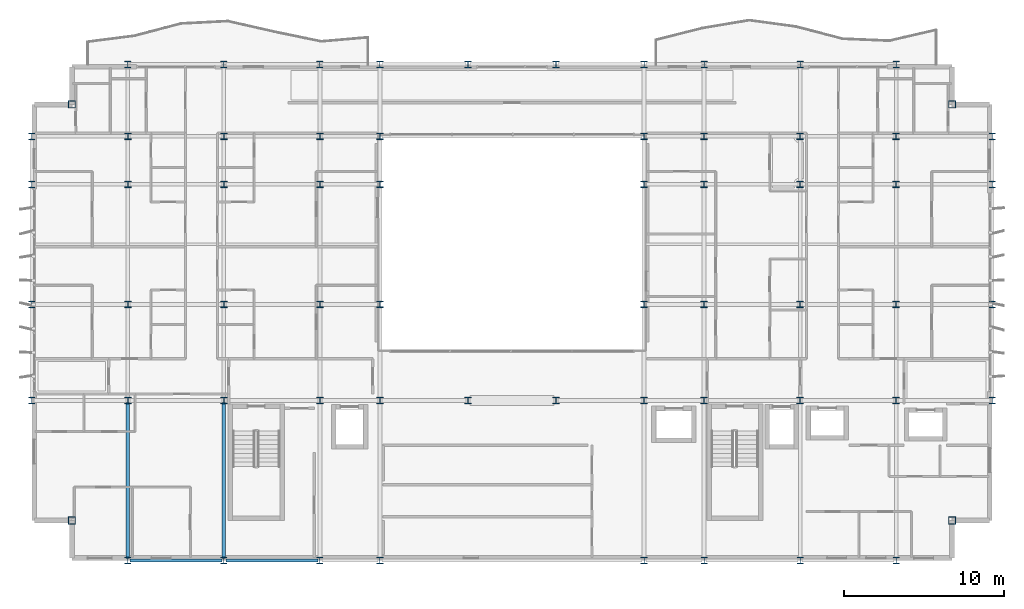
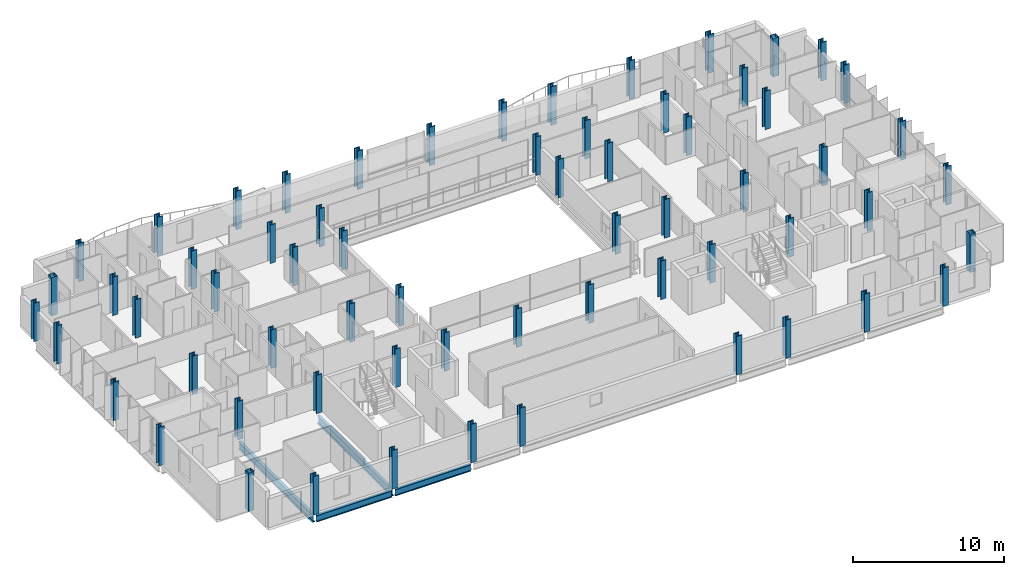
# One storey, part 1 of 39: 64 columns, 4 beams.
"""IFC4 building model written with IfcOpenShell, lengths in metres."""

from ifc_helpers import new_model, si_unit, direction, frame, origin, origin_2d, place, context, subcontext, project, spatial, hollow_rectangle, i_section, extrude, material, material_profile, profile_set, type_object, element, save


model = new_model("IFC4")

# Units and contexts
model_context = context("Model", 3, precision=1e-05, world=origin(), true_north=direction((0.0, 1.0)))
body_context = subcontext(model_context, "Body", "Model", "MODEL_VIEW")
ifc_project = project(units=[si_unit("LENGTHUNIT", "METRE"), si_unit("AREAUNIT", "SQUARE_METRE"), si_unit("VOLUMEUNIT", "CUBIC_METRE"), si_unit("PLANEANGLEUNIT", "RADIAN"), si_unit("MASSUNIT", "GRAM", prefix="KILO")], contexts=[model_context])

# Site, building, storey
site_placement = place(None, origin())
site = spatial("IfcSite", under=ifc_project, at=site_placement, CompositionType="ELEMENT")
building_placement = place(site_placement, origin())
building = spatial("IfcBuilding", under=site, at=building_placement, Name="Brevholm Reach", CompositionType="ELEMENT")
storey_placement = place(building_placement, frame((0.0, 0.0, 115.89990234375)))
storey = spatial("IfcBuildingStorey", under=building, at=storey_placement, Name="L34", CompositionType="ELEMENT", Elevation=115.89990234375)

# Columns
ifc_material_1 = material(Name="Structural Steel S460NH", Category="steel")
ifc_material_profile_1 = material_profile(ifc_material_1, hollow_rectangle(XDim=0.449951171875, YDim=0.449951171875, WallThickness=0.02490234375, InnerFilletRadius=0.011962890625, OuterFilletRadius=0.02392578125, at=origin_2d()), Name="SHS 450x450x25")
ifc_profile_set_1 = profile_set([ifc_material_profile_1], Name="Structural Steel S460NH")
column_type_1 = type_object("IfcColumnType", Name="COL-SHS1", PredefinedType="COLUMN", material=ifc_profile_set_1)
for number, where, z_axis, x_axis, name in (
    (1, (2.5, 2.5, 0.0), (0.0, 0.0, 1.0), (1.0, 0.0, 0.0), "L34 Column 05"),
    (2, (2.5, 28.5, 0.0), (0.0, 0.0, 1.0), (1.0, 0.0, 0.0), "L34 Column 06"),
    (3, (57.5, 2.5, 0.0), (0.0, 0.0, 1.0), (1.0, 0.0, 0.0), "L34 Column 59"),
    (4, (57.5, 28.5, 0.0), (0.0, 0.0, 1.0), (1.0, 0.0, 0.0), "L34 Column 60"),
):
    element("IfcColumn", number, at=place(storey_placement, frame(where, z_axis=z_axis, x_axis=x_axis)), inside=storey, type_object=column_type_1, Name=name, PredefinedType="COLUMN", context=body_context, shape_type="SweptSolid", body=[
        extrude(hollow_rectangle(XDim=0.449951171875, YDim=0.449951171875, WallThickness=0.02490234375, InnerFilletRadius=0.011962890625, OuterFilletRadius=0.02392578125, at=origin_2d()), origin(), (0.0, 0.0, 1.0), 3.10009765625),
    ])
ifc_material_2 = material(Name="Structural Steel S460ML", Category="steel")
ifc_material_profile_2 = material_profile(ifc_material_2, i_section(OverallWidth=0.412109375, OverallDepth=0.4365234375, WebThickness=0.035888671875, FlangeThickness=0.05810546875, FilletRadius=0.01513671875, at=origin_2d()), Name="UKC 356x406x467")
ifc_profile_set_2 = profile_set([ifc_material_profile_2], Name="Structural Steel S460ML")
column_type_2 = type_object("IfcColumnType", Name="COL-UC3", PredefinedType="COLUMN", material=ifc_profile_set_2)
for number, where, z_axis, x_axis, name in (
    (5, (0.0, 10.0, 0.0), (0.0, 0.0, 1.0), (1.0, 0.0, 0.0), "L34 Column 01"),
    (6, (0.0, 16.0, 0.0), (0.0, 0.0, 1.0), (1.0, 0.0, 0.0), "L34 Column 02"),
    (7, (0.0, 23.5, 0.0), (0.0, 0.0, 1.0), (1.0, 0.0, 0.0), "L34 Column 03"),
    (8, (0.0, 26.5, 0.0), (0.0, 0.0, 1.0), (1.0, 0.0, 0.0), "L34 Column 04"),
    (9, (6.0, 0.0, 0.0), (0.0, 0.0, 1.0), (1.0, 0.0, 0.0), "L34 Column 07"),
    (10, (6.0, 31.0, 0.0), (0.0, 0.0, 1.0), (1.0, 0.0, 0.0), "L34 Column 12"),
    (11, (12.0, 0.0, 0.0), (0.0, 0.0, 1.0), (1.0, 0.0, 0.0), "L34 Column 13"),
    (12, (12.0, 31.0, 0.0), (0.0, 0.0, 1.0), (1.0, 0.0, 0.0), "L34 Column 18"),
    (13, (18.0, 0.0, 0.0), (0.0, 0.0, 1.0), (1.0, 0.0, 0.0), "L34 Column 19"),
    (14, (18.0, 31.0, 0.0), (0.0, 0.0, 1.0), (1.0, 0.0, 0.0), "L34 Column 24"),
    (15, (21.75, 0.0, 0.0), (0.0, 0.0, 1.0), (1.0, 0.0, 0.0), "L34 Column 25"),
    (16, (21.75, 31.0, 0.0), (0.0, 0.0, 1.0), (1.0, 0.0, 0.0), "L34 Column 30"),
    (17, (27.25, 31.0, 0.0), (0.0, 0.0, 1.0), (1.0, 0.0, 0.0), "L34 Column 32"),
    (18, (32.75, 31.0, 0.0), (0.0, 0.0, 1.0), (1.0, 0.0, 0.0), "L34 Column 34"),
    (19, (38.25, 0.0, 0.0), (0.0, 0.0, 1.0), (1.0, 0.0, 0.0), "L34 Column 35"),
    (20, (38.25, 31.0, 0.0), (0.0, 0.0, 1.0), (1.0, 0.0, 0.0), "L34 Column 40"),
    (21, (42.0, 0.0, 0.0), (0.0, 0.0, 1.0), (1.0, 0.0, 0.0), "L34 Column 41"),
    (22, (42.0, 31.0, 0.0), (0.0, 0.0, 1.0), (1.0, 0.0, 0.0), "L34 Column 46"),
    (23, (48.0, 0.0, 0.0), (0.0, 0.0, 1.0), (1.0, 0.0, 0.0), "L34 Column 47"),
    (24, (48.0, 31.0, 0.0), (0.0, 0.0, 1.0), (1.0, 0.0, 0.0), "L34 Column 52"),
    (25, (54.0, 0.0, 0.0), (0.0, 0.0, 1.0), (1.0, 0.0, 0.0), "L34 Column 53"),
    (26, (54.0, 31.0, 0.0), (0.0, 0.0, 1.0), (1.0, 0.0, 0.0), "L34 Column 58"),
    (27, (60.0, 10.0, 0.0), (0.0, 0.0, 1.0), (1.0, 0.0, 0.0), "L34 Column 61"),
    (28, (60.0, 16.0, 0.0), (0.0, 0.0, 1.0), (1.0, 0.0, 0.0), "L34 Column 62"),
    (29, (60.0, 23.5, 0.0), (0.0, 0.0, 1.0), (1.0, 0.0, 0.0), "L34 Column 63"),
    (30, (60.0, 26.5, 0.0), (0.0, 0.0, 1.0), (1.0, 0.0, 0.0), "L34 Column 64"),
):
    element("IfcColumn", number, at=place(storey_placement, frame(where, z_axis=z_axis, x_axis=x_axis)), inside=storey, type_object=column_type_2, Name=name, PredefinedType="COLUMN", context=body_context, shape_type="SweptSolid", body=[
        extrude(i_section(OverallWidth=0.412109375, OverallDepth=0.4365234375, WebThickness=0.035888671875, FlangeThickness=0.05810546875, FilletRadius=0.01513671875, at=origin_2d()), origin(), (0.0, 0.0, 1.0), 3.10009765625),
    ])
ifc_material_3 = material(Name="Structural Steel S355J2", Category="steel")
ifc_material_profile_3 = material_profile(ifc_material_3, i_section(OverallWidth=0.406982421875, OverallDepth=0.4189453125, WebThickness=0.030517578125, FlangeThickness=0.04931640625, FilletRadius=0.01513671875, at=origin_2d()), Name="UKC 356x406x393")
ifc_profile_set_3 = profile_set([ifc_material_profile_3], Name="Structural Steel S355J2")
column_type_3 = type_object("IfcColumnType", Name="COL-UC4", PredefinedType="COLUMN", material=ifc_profile_set_3)
for number, where, z_axis, x_axis, name in (
    (31, (6.0, 10.0, 0.0), (0.0, 0.0, 1.0), (1.0, 0.0, 0.0), "L34 Column 08"),
    (32, (6.0, 16.0, 0.0), (0.0, 0.0, 1.0), (1.0, 0.0, 0.0), "L34 Column 09"),
    (33, (6.0, 23.5, 0.0), (0.0, 0.0, 1.0), (1.0, 0.0, 0.0), "L34 Column 10"),
    (34, (6.0, 26.5, 0.0), (0.0, 0.0, 1.0), (1.0, 0.0, 0.0), "L34 Column 11"),
    (35, (12.0, 10.0, 0.0), (0.0, 0.0, 1.0), (1.0, 0.0, 0.0), "L34 Column 14"),
    (36, (12.0, 16.0, 0.0), (0.0, 0.0, 1.0), (1.0, 0.0, 0.0), "L34 Column 15"),
    (37, (12.0, 23.5, 0.0), (0.0, 0.0, 1.0), (1.0, 0.0, 0.0), "L34 Column 16"),
    (38, (12.0, 26.5, 0.0), (0.0, 0.0, 1.0), (1.0, 0.0, 0.0), "L34 Column 17"),
    (39, (18.0, 10.0, 0.0), (0.0, 0.0, 1.0), (1.0, 0.0, 0.0), "L34 Column 20"),
    (40, (18.0, 16.0, 0.0), (0.0, 0.0, 1.0), (1.0, 0.0, 0.0), "L34 Column 21"),
    (41, (18.0, 23.5, 0.0), (0.0, 0.0, 1.0), (1.0, 0.0, 0.0), "L34 Column 22"),
    (42, (18.0, 26.5, 0.0), (0.0, 0.0, 1.0), (1.0, 0.0, 0.0), "L34 Column 23"),
    (43, (21.75, 10.0, 0.0), (0.0, 0.0, 1.0), (1.0, 0.0, 0.0), "L34 Column 26"),
    (44, (21.75, 16.0, 0.0), (0.0, 0.0, 1.0), (1.0, 0.0, 0.0), "L34 Column 27"),
    (45, (21.75, 23.5, 0.0), (0.0, 0.0, 1.0), (1.0, 0.0, 0.0), "L34 Column 28"),
    (46, (21.75, 26.5, 0.0), (0.0, 0.0, 1.0), (1.0, 0.0, 0.0), "L34 Column 29"),
    (47, (27.25, 10.0, 0.0), (0.0, 0.0, 1.0), (1.0, 0.0, 0.0), "L34 Column 31"),
    (48, (32.75, 10.0, 0.0), (0.0, 0.0, 1.0), (1.0, 0.0, 0.0), "L34 Column 33"),
    (49, (38.25, 10.0, 0.0), (0.0, 0.0, 1.0), (1.0, 0.0, 0.0), "L34 Column 36"),
    (50, (38.25, 16.0, 0.0), (0.0, 0.0, 1.0), (1.0, 0.0, 0.0), "L34 Column 37"),
    (51, (38.25, 23.5, 0.0), (0.0, 0.0, 1.0), (1.0, 0.0, 0.0), "L34 Column 38"),
    (52, (38.25, 26.5, 0.0), (0.0, 0.0, 1.0), (1.0, 0.0, 0.0), "L34 Column 39"),
    (53, (42.0, 10.0, 0.0), (0.0, 0.0, 1.0), (1.0, 0.0, 0.0), "L34 Column 42"),
    (54, (42.0, 16.0, 0.0), (0.0, 0.0, 1.0), (1.0, 0.0, 0.0), "L34 Column 43"),
    (55, (42.0, 23.5, 0.0), (0.0, 0.0, 1.0), (1.0, 0.0, 0.0), "L34 Column 44"),
    (56, (42.0, 26.5, 0.0), (0.0, 0.0, 1.0), (1.0, 0.0, 0.0), "L34 Column 45"),
    (57, (48.0, 10.0, 0.0), (0.0, 0.0, 1.0), (1.0, 0.0, 0.0), "L34 Column 48"),
    (58, (48.0, 16.0, 0.0), (0.0, 0.0, 1.0), (1.0, 0.0, 0.0), "L34 Column 49"),
    (59, (48.0, 23.5, 0.0), (0.0, 0.0, 1.0), (1.0, 0.0, 0.0), "L34 Column 50"),
    (60, (48.0, 26.5, 0.0), (0.0, 0.0, 1.0), (1.0, 0.0, 0.0), "L34 Column 51"),
    (61, (54.0, 10.0, 0.0), (0.0, 0.0, 1.0), (1.0, 0.0, 0.0), "L34 Column 54"),
    (62, (54.0, 16.0, 0.0), (0.0, 0.0, 1.0), (1.0, 0.0, 0.0), "L34 Column 55"),
    (63, (54.0, 23.5, 0.0), (0.0, 0.0, 1.0), (1.0, 0.0, 0.0), "L34 Column 56"),
    (64, (54.0, 26.5, 0.0), (0.0, 0.0, 1.0), (1.0, 0.0, 0.0), "L34 Column 57"),
):
    element("IfcColumn", number, at=place(storey_placement, frame(where, z_axis=z_axis, x_axis=x_axis)), inside=storey, type_object=column_type_3, Name=name, PredefinedType="COLUMN", context=body_context, shape_type="SweptSolid", body=[
        extrude(i_section(OverallWidth=0.406982421875, OverallDepth=0.4189453125, WebThickness=0.030517578125, FlangeThickness=0.04931640625, FilletRadius=0.01513671875, at=origin_2d()), origin(), (0.0, 0.0, 1.0), 3.10009765625),
    ])

# Beams
ifc_material_4 = material(Name="Structural Steel S355J2", Category="steel")
ifc_material_profile_4 = material_profile(ifc_material_4, i_section(OverallWidth=0.209228515625, OverallDepth=0.533203125, WebThickness=0.010009765625, FlangeThickness=0.015625, FilletRadius=0.0126953125, at=origin_2d()), Name="UKB 533x210x92")
ifc_profile_set_4 = profile_set([ifc_material_profile_4], Name="Structural Steel S355J2")
beam_type_1 = type_object("IfcBeamType", Name="BM-SP533", PredefinedType="SPANDREL", material=ifc_profile_set_4)
for number, where, z_axis, x_axis, name in (
    (65, (6.1201171875, 0.0, -0.486572265625), (1.0, 0.0, 0.0), (0.0, 1.0, 0.0), "L34 SP-02 Framing Beam"),
    (66, (12.1201171875, 0.0, -0.486572265625), (1.0, 0.0, 0.0), (0.0, 1.0, 0.0), "L34 SP-02 Framing Beam"),
):
    element("IfcBeam", number, at=place(storey_placement, frame(where, z_axis=z_axis, x_axis=x_axis)), inside=storey, type_object=beam_type_1, Name=name, PredefinedType="SPANDREL", context=body_context, shape_type="SweptSolid", body=[
        extrude(i_section(OverallWidth=0.209228515625, OverallDepth=0.533203125, WebThickness=0.010009765625, FlangeThickness=0.015625, FilletRadius=0.0126953125, at=origin_2d()), origin(), (0.0, 0.0, 1.0), 5.759765625),
    ])
ifc_material_5 = material(Name="Structural Steel S355J2", Category="steel")
ifc_material_profile_5 = material_profile(ifc_material_5, i_section(OverallWidth=0.22900390625, OverallDepth=0.6123046875, WebThickness=0.011962890625, FlangeThickness=0.01953125, FilletRadius=0.0126953125, at=origin_2d()), Name="UKB 610x229x125")
ifc_profile_set_5 = profile_set([ifc_material_profile_5], Name="Structural Steel S355J2")
beam_type_2 = type_object("IfcBeamType", Name="BM-SP610", PredefinedType="SPANDREL", material=ifc_profile_set_5)
for number, where, z_axis, x_axis, name in (
    (67, (6.0, 0.1201171875, -0.526123046875), (0.0, 1.0, 0.0), (-1.0, 0.0, 0.0), "L34 SP-01 Framing Beam"),
    (68, (12.0, 0.1201171875, -0.526123046875), (0.0, 1.0, 0.0), (-1.0, 0.0, 0.0), "L34 SP-01 Framing Beam"),
):
    element("IfcBeam", number, at=place(storey_placement, frame(where, z_axis=z_axis, x_axis=x_axis)), inside=storey, type_object=beam_type_2, Name=name, PredefinedType="SPANDREL", context=body_context, shape_type="SweptSolid", body=[
        extrude(i_section(OverallWidth=0.22900390625, OverallDepth=0.6123046875, WebThickness=0.011962890625, FlangeThickness=0.01953125, FilletRadius=0.0126953125, at=origin_2d()), origin(), (0.0, 0.0, 1.0), 9.759765625),
    ])

save(model, "model.ifc")
